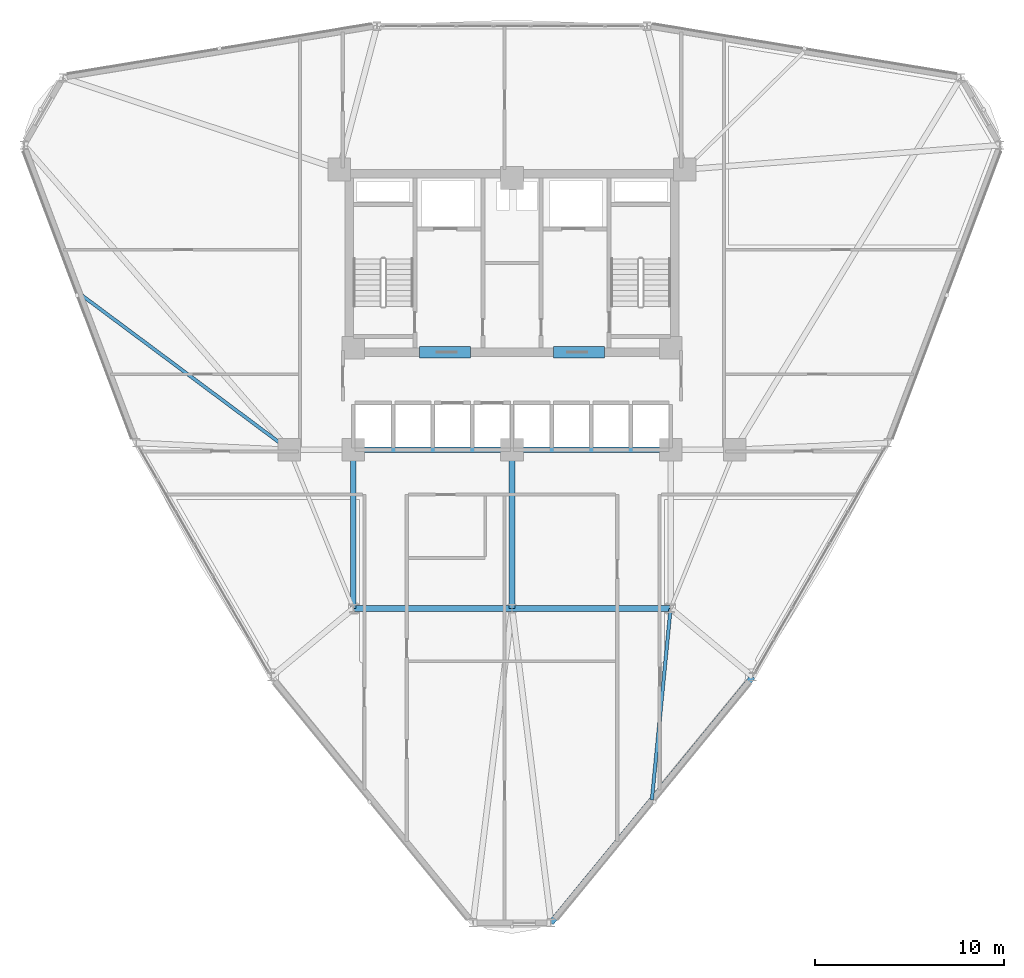
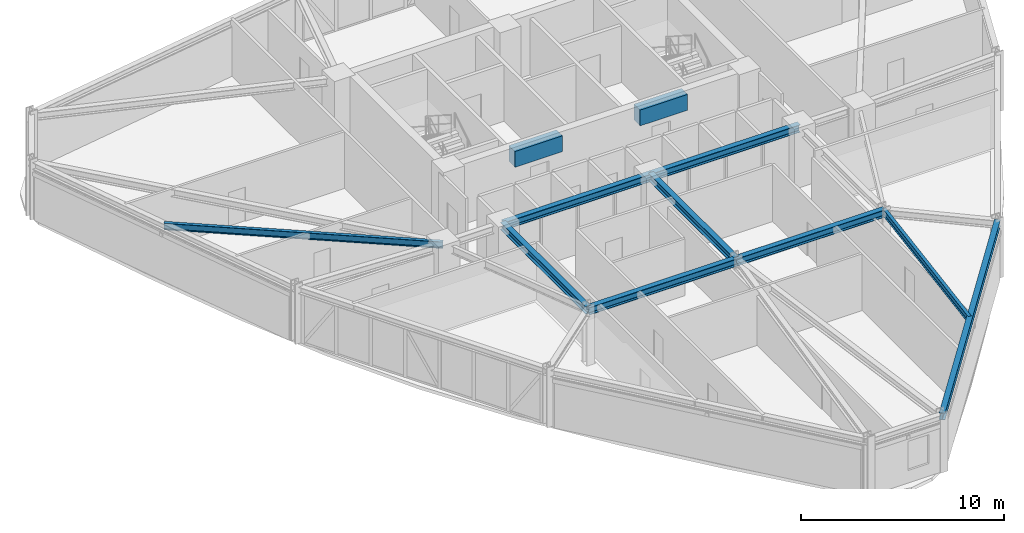
# One storey, part 5 of 17: 11 beams.
"""IFC4 building model written with IfcOpenShell, lengths in metres."""

from ifc_helpers import new_model, si_unit, derived_unit, direction, frame, origin, origin_2d, place, context, subcontext, project, spatial, rectangle, i_section, extrude, source, transform, mapped, material, material_profile, profile_set, type_object, element, save


model = new_model("IFC4")

# Units and contexts
model_context = context("Model", 3, precision=1e-05, world=origin(), true_north=direction((0.0, 1.0)))
body_context = subcontext(model_context, "Body", "Model", "MODEL_VIEW")
ifc_project = project(units=[si_unit("LENGTHUNIT", "METRE"), si_unit("AREAUNIT", "SQUARE_METRE"), si_unit("VOLUMEUNIT", "CUBIC_METRE"), si_unit("PLANEANGLEUNIT", "RADIAN"), si_unit("MASSUNIT", "GRAM", prefix="KILO"), derived_unit("THERMALTRANSMITTANCEUNIT", [(si_unit("POWERUNIT", "WATT"), 1), (si_unit("LENGTHUNIT", "METRE"), -2), (si_unit("THERMODYNAMICTEMPERATUREUNIT", "KELVIN"), -1)])], contexts=[model_context])

# Site, building, storey
site_placement = place(None, origin())
site = spatial("IfcSite", under=ifc_project, at=site_placement, CompositionType="ELEMENT")
building_placement = place(site_placement, origin())
building = spatial("IfcBuilding", under=site, at=building_placement, Name="Korsvarv Bourse and Concert Hall", CompositionType="ELEMENT")
storey_placement = place(building_placement, frame((0.0, 0.0, 102.60009765625)))
storey = spatial("IfcBuildingStorey", under=building, at=storey_placement, Name="L25", CompositionType="ELEMENT", Elevation=102.60009765625)

# Beams
ifc_material_1 = material(Name="Concrete C55/67", Category="concrete")
ifc_material_profile_1 = material_profile(ifc_material_1, rectangle(XDim=0.60009765625, YDim=0.949951171875, at=origin_2d()), Name="RC-BM 600x950")
ifc_profile_set_1 = profile_set([ifc_material_profile_1], Name="Concrete C55/67")
beam_type_1 = type_object("IfcBeamType", Name="BM-CPL", PredefinedType="LINTEL", material=ifc_profile_set_1)
shared_shape_1 = source(origin(), body_context, "Body", "SweptSolid", [
    extrude(rectangle(XDim=0.60009765625, YDim=0.949951171875, at=origin_2d()), origin(), (0.0, 0.0, 1.0), 2.699951171875),
])
for number, where, z_axis, x_axis, name in (
    (1, (31.10009765625, 37.574951171875, 2.9248046875), (1.0, 0.0, 0.0), (0.0, 1.0, 0.0), "L25 Core Coupling Beam West"),
    (2, (38.199951171875, 37.574951171875, 2.9248046875), (1.0, 0.0, 0.0), (0.0, 1.0, 0.0), "L25 Core Coupling Beam East"),
):
    element("IfcBeam", number, at=place(storey_placement, frame(where, z_axis=z_axis, x_axis=x_axis)), inside=storey, type_object=beam_type_1, Name=name, PredefinedType="LINTEL", context=body_context, shape_type="MappedRepresentation", body=[
        mapped(shared_shape_1, transform((0.0, 0.0, 0.0), scale=1.0)),
    ])
ifc_material_2 = material(Name="Steel S355", Category="steel")
ifc_material_profile_2 = material_profile(ifc_material_2, i_section(OverallWidth=0.300048828125, OverallDepth=0.449951171875, WebThickness=0.013916015625, FlangeThickness=0.02587890625, FilletRadius=0.02099609375, at=origin_2d()), Name="HEB 450")
ifc_profile_set_2 = profile_set([ifc_material_profile_2], Name="Steel S355")
beam_type_2 = type_object("IfcBeamType", Name="BM-HEB450", PredefinedType="SPANDREL", material=ifc_profile_set_2)
shared_shape_2 = source(origin(), body_context, "Body", "SweptSolid", [
    extrude(i_section(OverallWidth=0.300048828125, OverallDepth=0.449951171875, WebThickness=0.013916015625, FlangeThickness=0.02587890625, FilletRadius=0.02099609375, at=origin_2d()), origin(), (0.0, 0.0, 1.0), 8.39990234375),
])
for number, where, z_axis, x_axis, name in (
    (3, (27.60009765625, 32.39990234375, 3.1748046875), (1.0, 0.0, 0.0), (0.0, 1.0, 0.0), "L25 beam B-08"),
    (4, (36.0, 32.39990234375, 3.1748046875), (1.0, 0.0, 0.0), (0.0, 1.0, 0.0), "L25 beam B-08"),
    (5, (27.60009765625, 24.0, 3.1748046875), (1.0, 0.0, 0.0), (0.0, 1.0, 0.0), "L25 beam B-08"),
    (6, (36.0, 24.0, 3.1748046875), (1.0, 0.0, 0.0), (0.0, 1.0, 0.0), "L25 beam B-08"),
    (7, (27.60009765625, 24.0, 3.1748046875), (0.0, 1.0, 0.0), (-1.0, 0.0, 0.0), "L25 beam B-08"),
    (8, (36.0, 24.0, 3.1748046875), (0.0, 1.0, 0.0), (-1.0, 0.0, 0.0), "L25 beam B-08"),
):
    element("IfcBeam", number, at=place(storey_placement, frame(where, z_axis=z_axis, x_axis=x_axis)), inside=storey, type_object=beam_type_2, Name=name, PredefinedType="SPANDREL", context=body_context, shape_type="MappedRepresentation", body=[
        mapped(shared_shape_2, transform((0.0, 0.0, 0.0), scale=1.0)),
    ])
ifc_material_profile_3 = material_profile(ifc_material_2, i_section(OverallWidth=0.300048828125, OverallDepth=0.39990234375, WebThickness=0.013427734375, FlangeThickness=0.02392578125, FilletRadius=0.02099609375, at=origin_2d()), Name="HEB 400")
ifc_profile_set_3 = profile_set([ifc_material_profile_3], Name="Steel S355")
beam_type_3 = type_object("IfcBeamType", Name="BM-HEB400", PredefinedType="SPANDREL", material=ifc_profile_set_3)
shared_shape_3 = source(origin(), body_context, "Body", "SweptSolid", [
    extrude(i_section(OverallWidth=0.300048828125, OverallDepth=0.39990234375, WebThickness=0.013427734375, FlangeThickness=0.02392578125, FilletRadius=0.02099609375, at=origin_2d()), origin(), (0.0, 0.0, 1.0), 16.8564453125),
])
beam_1_placement = place(storey_placement, frame((38.068359375, 7.34375, 3.199951171875), z_axis=(0.63375425105, 0.773534452546, 0.0), x_axis=(-0.773534452546, 0.63375425105, 0.0)))
element("IfcBeam", 9, at=beam_1_placement, inside=storey, type_object=beam_type_3, Name="L25 beam B-09", PredefinedType="SPANDREL", context=body_context, shape_type="MappedRepresentation", body=[
    mapped(shared_shape_3, transform((0.0, 0.0, 0.0), scale=1.0)),
])
ifc_material_profile_4 = material_profile(ifc_material_2, i_section(OverallWidth=0.179931640625, OverallDepth=0.39990234375, WebThickness=0.008544921875, FlangeThickness=0.013427734375, FilletRadius=0.02099609375, at=origin_2d()), Name="IPE 400")
ifc_profile_set_4 = profile_set([ifc_material_profile_4], Name="Steel S355")
beam_type_4 = type_object("IfcBeamType", Name="BM-IPE400", PredefinedType="JOIST", material=ifc_profile_set_4)
shared_shape_4 = source(origin(), body_context, "Body", "SweptSolid", [
    extrude(i_section(OverallWidth=0.179931640625, OverallDepth=0.39990234375, WebThickness=0.008544921875, FlangeThickness=0.013427734375, FilletRadius=0.02099609375, at=origin_2d()), origin(), (0.0, 0.0, 1.0), 13.811767578125),
])
beam_2_placement = place(storey_placement, frame((13.1240234375, 40.6513671875, 3.199951171875), z_axis=(0.801924007943, -0.597426050223, 0.0), x_axis=(0.597426050223, 0.801924007943, 0.0)))
element("IfcBeam", 10, at=beam_2_placement, inside=storey, type_object=beam_type_4, Name="L25 beam J-05", PredefinedType="JOIST", context=body_context, shape_type="MappedRepresentation", body=[
    mapped(shared_shape_4, transform((0.0, 0.0, 0.0), scale=1.0)),
])
shared_shape_5 = source(origin(), body_context, "Body", "SweptSolid", [
    extrude(i_section(OverallWidth=0.179931640625, OverallDepth=0.39990234375, WebThickness=0.008544921875, FlangeThickness=0.013427734375, FilletRadius=0.02099609375, at=origin_2d()), origin(), (0.0, 0.0, 1.0), 10.18505859375),
])
beam_3_placement = place(storey_placement, frame((43.409912109375, 13.86328125, 3.199951171875), z_axis=(0.097201313218, 0.995264741016, 0.0), x_axis=(-0.995264741016, 0.097201313218, 0.0)))
element("IfcBeam", 11, at=beam_3_placement, inside=storey, type_object=beam_type_4, Name="L25 beam J-05", PredefinedType="JOIST", context=body_context, shape_type="MappedRepresentation", body=[
    mapped(shared_shape_5, transform((0.0, 0.0, 0.0), scale=1.0)),
])

save(model, "model.ifc")
